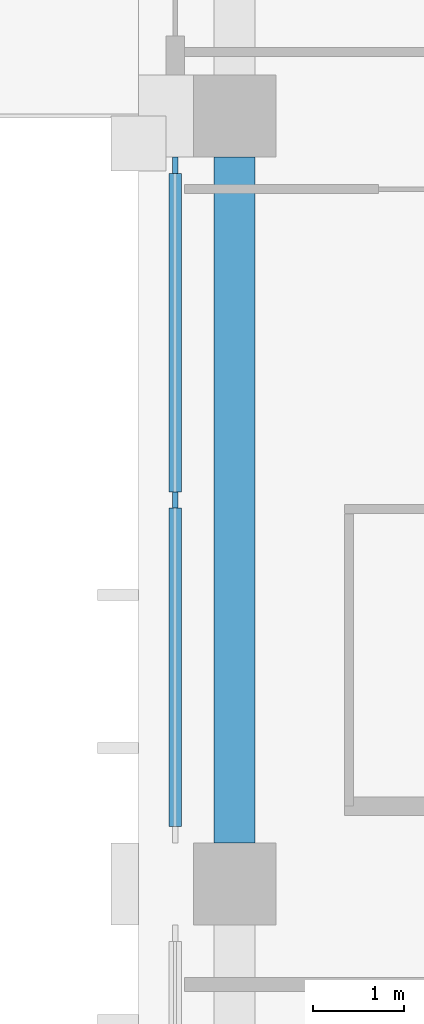
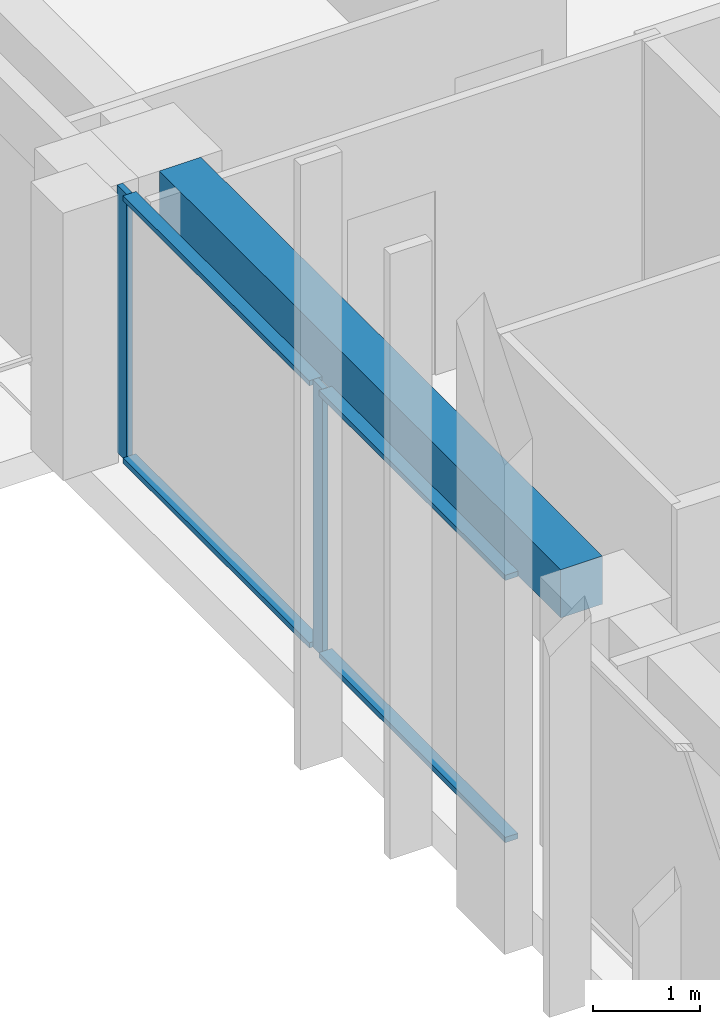
# One storey, part 3 of 16: 6 members, 1 beam, 1 element without a shape of its own.
"""IFC4 building model written with IfcOpenShell, lengths in metres."""

import ifcopenshell
import ifcopenshell.guid

model = None  # the IFC model being written
_history = None  # IfcOwnerHistory: only IFC2X3 demands one
_inside = {}  # id of a spatial element -> (the spatial element, [elements in it])
_under = {}  # id of a project, library or spatial element -> (it, [spatial elements below it])
_declared = {}  # id of a project -> (the project, [libraries it declares])
_typed = {}  # id of a type object -> (the type object, [elements of that type])
_made_of = {}  # id of a material, layer set ... -> (it, [elements and type objects made of it])


def new_model(schema):
    """Start an empty IFC model of exactly this schema.

    Asked for "IFC4X3", IfcOpenShell would pick the latest addendum, in which some entities
    have other attributes; the version numbers below select the first issue.
    IFC2X3 requires an IfcOwnerHistory on every rooted entity: one is made here for all.
    """
    global model, _history
    if schema == "IFC4X3":
        model = ifcopenshell.file(schema_version=(4, 3, 0, 0))
    else:
        model = ifcopenshell.file(schema=schema)
    _inside.clear()
    _under.clear()
    _declared.clear()
    _typed.clear()
    _made_of.clear()
    _history = None
    if model.schema == "IFC2X3":
        org = make("IfcOrganization", Name="unknown")
        user = make(
            "IfcPersonAndOrganization",
            ThePerson=make("IfcPerson", FamilyName="unknown"),
            TheOrganization=org,
        )
        app = make(
            "IfcApplication",
            ApplicationDeveloper=org,
            Version="unknown",
            ApplicationFullName="unknown",
            ApplicationIdentifier="unknown",
        )
        _history = make(
            "IfcOwnerHistory",
            OwningUser=user,
            OwningApplication=app,
            ChangeAction="ADDED",
            CreationDate=0,
        )
    return model


def make(cls, **values):
    """One entity of the class cls with the attributes given. An attribute that is None is left unset."""
    return model.create_entity(
        cls, **{name: value for name, value in values.items() if value is not None}
    )


def rooted(cls, **values):
    """An entity with a GlobalId (a new one), such as an element, a storey or a relation."""
    return make(cls, GlobalId=ifcopenshell.guid.new(), OwnerHistory=_history, **values)


def si_unit(unit_type, name, prefix=None):
    """IfcSIUnit, for example si_unit("LENGTHUNIT", "METRE", prefix="MILLI")."""
    return make("IfcSIUnit", UnitType=unit_type, Prefix=prefix, Name=name)


def assignment(units):
    """IfcUnitAssignment: the units of a project."""
    return None if units is None else make("IfcUnitAssignment", Units=units)


def point(xyz):
    """IfcCartesianPoint."""
    return None if xyz is None else make("IfcCartesianPoint", Coordinates=xyz)


def direction(xyz):
    """IfcDirection."""
    return None if xyz is None else make("IfcDirection", DirectionRatios=xyz)


def frame(location, z_axis=None, x_axis=None):
    """IfcAxis2Placement3D, a coordinate frame: its origin and axes. An axis left out is left unset."""
    return make(
        "IfcAxis2Placement3D",
        Location=point(location),
        Axis=direction(z_axis),
        RefDirection=direction(x_axis),
    )


def frame_2d(location, x_axis=None):
    """IfcAxis2Placement2D, a coordinate frame in the plane: its origin and x axis."""
    return make(
        "IfcAxis2Placement2D", Location=point(location), RefDirection=direction(x_axis)
    )


def origin():
    """The frame at (0, 0, 0) with its axes left unset."""
    return frame((0.0, 0.0, 0.0))


def origin_2d():
    """The frame at (0, 0) in the plane with its x axis left unset."""
    return frame_2d((0.0, 0.0))


def place(relative_to, where):
    """IfcLocalPlacement: puts the frame where relative to a parent placement (None: the world)."""
    return make(
        "IfcLocalPlacement", PlacementRelTo=relative_to, RelativePlacement=where
    )


def context(
    kind, dimensions, precision=None, world=None, true_north=None, identifier=None
):
    """IfcGeometricRepresentationContext, for example the 3D "Model" context."""
    return make(
        "IfcGeometricRepresentationContext",
        ContextIdentifier=identifier,
        ContextType=kind,
        CoordinateSpaceDimension=dimensions,
        Precision=precision,
        WorldCoordinateSystem=world,
        TrueNorth=true_north,
    )


def subcontext(parent, identifier, kind, view, scale=None):
    """IfcGeometricRepresentationSubContext, for example "Body" below "Model"."""
    return make(
        "IfcGeometricRepresentationSubContext",
        ContextIdentifier=identifier,
        ContextType=kind,
        ParentContext=parent,
        TargetScale=scale,
        TargetView=view,
    )


def project(units=None, contexts=None):
    """IfcProject with its units and contexts."""
    return rooted(
        "IfcProject",
        Name="project",
        RepresentationContexts=contexts,
        UnitsInContext=assignment(units),
    )


def spatial(cls, under=None, at=None, **own):
    """A site, building, storey or space (cls), placed at a placement, below another one or the project."""
    s = rooted(cls, ObjectPlacement=at, **own)
    if under is not None:
        _under.setdefault(under.id(), (under, []))[1].append(s)
    return s


def profile(cls, at=None, kind="AREA", **sizes):
    """A parametric profile (cls). Its sizes go by their IFC names, for example OverallWidth=200.0."""
    return make(cls, ProfileType=kind, Position=at, **sizes)


def rectangle(**sizes):
    """IfcRectangleProfileDef."""
    return profile("IfcRectangleProfileDef", **sizes)


def extrude(swept, where, along, depth):
    """IfcExtrudedAreaSolid: the profile swept, set in the frame where, extruded along a direction by depth."""
    return make(
        "IfcExtrudedAreaSolid",
        SweptArea=swept,
        Position=where,
        ExtrudedDirection=direction(along),
        Depth=depth,
    )


def shape(context_of_items, identifier, shape_type, items):
    """IfcShapeRepresentation: the items that make up one representation, for example the "Body"."""
    return make(
        "IfcShapeRepresentation",
        ContextOfItems=context_of_items,
        RepresentationIdentifier=identifier,
        RepresentationType=shape_type,
        Items=items,
    )


def material(Name=None, Category=None):
    """IfcMaterial."""
    return make("IfcMaterial", Name=Name, Category=Category)


def material_profile(
    of_material, cross_section, Name=None, Category=None, Priority=None
):
    """IfcMaterialProfile: a cross section and its material."""
    return make(
        "IfcMaterialProfile",
        Name=Name,
        Material=of_material,
        Profile=cross_section,
        Priority=Priority,
        Category=Category,
    )


def profile_set(profiles, Name=None, composite=None):
    """IfcMaterialProfileSet."""
    return make(
        "IfcMaterialProfileSet",
        Name=Name,
        MaterialProfiles=profiles,
        CompositeProfile=composite,
    )


def made_of(thing, what):
    """Note that an element or type object is made of a material, layer set ...; save() writes the relation."""
    if what is not None:
        _made_of.setdefault(what.id(), (what, []))[1].append(thing)
    return thing


def type_object(cls, material=None, **own):
    """A type object (cls), such as IfcWallType, which elements share."""
    return made_of(rooted(cls, **own), material)


def element(
    cls,
    number,
    at=None,
    inside=None,
    cuts=None,
    type_object=None,
    material=None,
    context=None,
    identifier="Body",
    shape_type=None,
    held_by="IfcProductDefinitionShape",
    body=None,
    shapes=None,
    **own,
):
    """One element of the class cls, such as IfcWall. Its Tag is "e" and its number.

    at: its placement. inside: the storey or other place that contains it. cuts: it is an
    opening in that element (IfcRelVoidsElement). A single representation is given by context,
    identifier, shape_type and body (its items); several are given by shapes. held_by: the class
    of the entity that holds the representations. save() writes the other relations.
    """
    e = rooted(cls, Tag="e%d" % number, ObjectPlacement=at, **own)
    if body is not None:
        shapes = [shape(context, identifier, shape_type, body)]
    if shapes is not None:
        e.Representation = make(held_by, Representations=shapes)
    if inside is not None:
        _inside.setdefault(inside.id(), (inside, []))[1].append(e)
    if cuts is not None:
        rooted(
            "IfcRelVoidsElement", RelatingBuildingElement=cuts, RelatedOpeningElement=e
        )
    if type_object is not None:
        _typed.setdefault(type_object.id(), (type_object, []))[1].append(e)
    return made_of(e, material)


def aggregate(whole, parts):
    """IfcRelAggregates: a whole, such as a stair, and the parts it consists of."""
    return rooted("IfcRelAggregates", RelatingObject=whole, RelatedObjects=parts)


def save(model, path):
    """Write the relations noted so far, then the file.

    IfcRelAggregates (storeys below a building ...), IfcRelContainedInSpatialStructure (elements
    in a storey), IfcRelDefinesByType, IfcRelAssociatesMaterial and IfcRelDeclares: one each for
    every whole, place, type object, material and project.
    """
    for whole, parts in _under.values():
        aggregate(whole, parts)
    for where, things in _inside.values():
        rooted(
            "IfcRelContainedInSpatialStructure",
            RelatedElements=things,
            RelatingStructure=where,
        )
    for kind, things in _typed.values():
        rooted("IfcRelDefinesByType", RelatedObjects=things, RelatingType=kind)
    for what, things in _made_of.values():
        rooted("IfcRelAssociatesMaterial", RelatedObjects=things, RelatingMaterial=what)
    for by, libraries in _declared.values():
        rooted("IfcRelDeclares", RelatingContext=by, RelatedDefinitions=libraries)
    model.write(path)


model = new_model("IFC4")

# Units and contexts
model_context = context("Model", 3, precision=1e-05, world=origin(), true_north=direction((0.0, 1.0)))
body_context = subcontext(model_context, "Body", "Model", "MODEL_VIEW")
ifc_project = project(units=[si_unit("LENGTHUNIT", "METRE"), si_unit("AREAUNIT", "SQUARE_METRE"), si_unit("VOLUMEUNIT", "CUBIC_METRE"), si_unit("PLANEANGLEUNIT", "RADIAN"), si_unit("MASSUNIT", "GRAM", prefix="KILO")], contexts=[model_context])

# Site, building, storey
site_placement = place(None, origin())
site = spatial("IfcSite", under=ifc_project, at=site_placement, CompositionType="ELEMENT")
building_placement = place(site_placement, origin())
building = spatial("IfcBuilding", under=site, at=building_placement, Name="Vermilion Ogive Tower", CompositionType="ELEMENT")
storey_placement = place(building_placement, frame((0.0, 0.0, 233.800048828125)))
storey = spatial("IfcBuildingStorey", under=building, at=storey_placement, Name="L61", CompositionType="ELEMENT", Elevation=233.800048828125)

# Curtain wall, members
ifc_material_1 = material(Name="Low-iron laminated glazing in aluminium frame", Category="aluminium")
curtain_wall_type = type_object("IfcCurtainWallType", Name="Curtain wall CW7", PredefinedType="NOTDEFINED", material=ifc_material_1)
curtain_wall_placement = place(storey_placement, origin())
curtain_wall = element("IfcCurtainWall", 1, at=curtain_wall_placement, inside=storey, type_object=curtain_wall_type, Name="Glazed skin W2", PredefinedType="NOTDEFINED")
ifc_material_2 = material(Name="Aluminium mullion", Category="aluminium")
ifc_material_profile_1 = material_profile(ifc_material_2, rectangle(XDim=0.06005859375, YDim=0.179931640625, at=origin_2d()), Name="AL 60x180")
ifc_profile_set_1 = profile_set([ifc_material_profile_1], Name="Aluminium mullion")
member_type_1 = type_object("IfcMemberType", Name="CW7 mullion 60x180", PredefinedType="MULLION", material=ifc_profile_set_1)
member_1_placement = place(storey_placement, frame((-25.85009765625, 3.659912109375, 0.0), z_axis=(0.0, 0.0, 1.0), x_axis=(1.0, 0.0, 0.0)))
member_1 = element("IfcMember", 2, at=member_1_placement, type_object=member_type_1, Name="CW7-W2 mullion 1", PredefinedType="MULLION", context=body_context, shape_type="SweptSolid", body=[
    extrude(rectangle(XDim=0.06005859375, YDim=0.179931640625, at=origin_2d()), origin(), (0.0, 0.0, 1.0), 3.050048828125),
])
member_2_placement = place(storey_placement, frame((-25.85009765625, 0.0, 0.0), z_axis=(0.0, 0.0, 1.0), x_axis=(1.0, 0.0, 0.0)))
member_2 = element("IfcMember", 3, at=member_2_placement, type_object=member_type_1, Name="CW7-W2 mullion 2", PredefinedType="MULLION", context=body_context, shape_type="SweptSolid", body=[
    extrude(rectangle(XDim=0.06005859375, YDim=0.179931640625, at=origin_2d()), origin(), (0.0, 0.0, 1.0), 3.050048828125),
])
ifc_material_3 = material(Name="Aluminium transom", Category="aluminium")
ifc_material_profile_2 = material_profile(ifc_material_3, rectangle(XDim=0.139892578125, YDim=0.06005859375, at=origin_2d()), Name="AL 60x140")
ifc_profile_set_2 = profile_set([ifc_material_profile_2], Name="Aluminium transom")
member_type_2 = type_object("IfcMemberType", Name="CW7 transom 60x140", PredefinedType="USERDEFINED", material=ifc_profile_set_2)
member_3_placement = place(storey_placement, frame((-25.85009765625, 3.570068359375, 0.030029296875), z_axis=(0.0, -1.0, 0.0), x_axis=(1.0, 0.0, 0.0)))
member_3 = element("IfcMember", 4, at=member_3_placement, type_object=member_type_2, Name="CW7-W2 transom 1.1", ObjectType="TRANSOM", PredefinedType="USERDEFINED", context=body_context, shape_type="SweptSolid", body=[
    extrude(rectangle(XDim=0.139892578125, YDim=0.06005859375, at=origin_2d()), origin(), (0.0, 0.0, 1.0), 3.47998046875),
])
member_4_placement = place(storey_placement, frame((-25.85009765625, 3.570068359375, 3.02001953125), z_axis=(0.0, -1.0, 0.0), x_axis=(1.0, 0.0, 0.0)))
member_4 = element("IfcMember", 5, at=member_4_placement, type_object=member_type_2, Name="CW7-W2 transom 1.2", ObjectType="TRANSOM", PredefinedType="USERDEFINED", context=body_context, shape_type="SweptSolid", body=[
    extrude(rectangle(XDim=0.139892578125, YDim=0.06005859375, at=origin_2d()), origin(), (0.0, 0.0, 1.0), 3.47998046875),
])
member_5_placement = place(storey_placement, frame((-25.85009765625, -0.090087890625, 0.030029296875), z_axis=(0.0, -1.0, 0.0), x_axis=(1.0, 0.0, 0.0)))
member_5 = element("IfcMember", 6, at=member_5_placement, type_object=member_type_2, Name="CW7-W2 transom 2.1", ObjectType="TRANSOM", PredefinedType="USERDEFINED", context=body_context, shape_type="SweptSolid", body=[
    extrude(rectangle(XDim=0.139892578125, YDim=0.06005859375, at=origin_2d()), origin(), (0.0, 0.0, 1.0), 3.47998046875),
])
member_6_placement = place(storey_placement, frame((-25.85009765625, -0.090087890625, 3.02001953125), z_axis=(0.0, -1.0, 0.0), x_axis=(1.0, 0.0, 0.0)))
member_6 = element("IfcMember", 7, at=member_6_placement, type_object=member_type_2, Name="CW7-W2 transom 2.2", ObjectType="TRANSOM", PredefinedType="USERDEFINED", context=body_context, shape_type="SweptSolid", body=[
    extrude(rectangle(XDim=0.139892578125, YDim=0.06005859375, at=origin_2d()), origin(), (0.0, 0.0, 1.0), 3.47998046875),
])
aggregate(curtain_wall, [member_1, member_2, member_3, member_4, member_5, member_6])

# Beam
ifc_material_4 = material(Name="Concrete B45", Category="concrete")
ifc_material_profile_3 = material_profile(ifc_material_4, rectangle(XDim=0.449951171875, YDim=0.550048828125, at=origin_2d()), Name="450 x 550")
ifc_profile_set_3 = profile_set([ifc_material_profile_3], Name="Concrete B45")
beam_type = type_object("IfcBeamType", Name="Edge beam 450 x 550 B45", PredefinedType="BEAM", material=ifc_profile_set_3)
beam_placement = place(storey_placement, frame((-25.199951171875, 3.75, 2.77490234375), z_axis=(0.0, -1.0, 0.0), x_axis=(1.0, 0.0, 0.0)))
element("IfcBeam", 8, at=beam_placement, inside=storey, type_object=beam_type, Name="L61-EB-15", PredefinedType="BEAM", context=body_context, shape_type="SweptSolid", body=[
    extrude(rectangle(XDim=0.449951171875, YDim=0.550048828125, at=origin_2d()), origin(), (0.0, 0.0, 1.0), 7.5),
])

save(model, "model.ifc")
